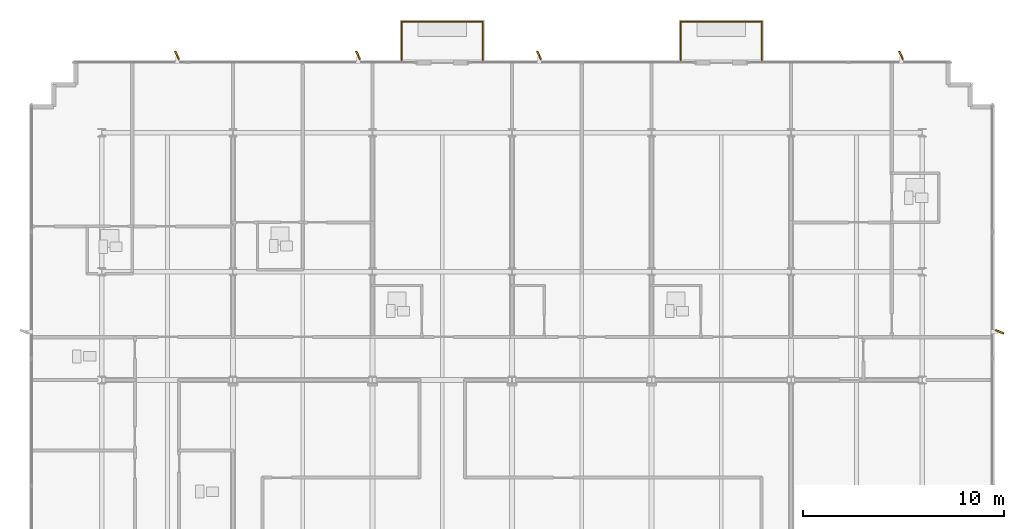
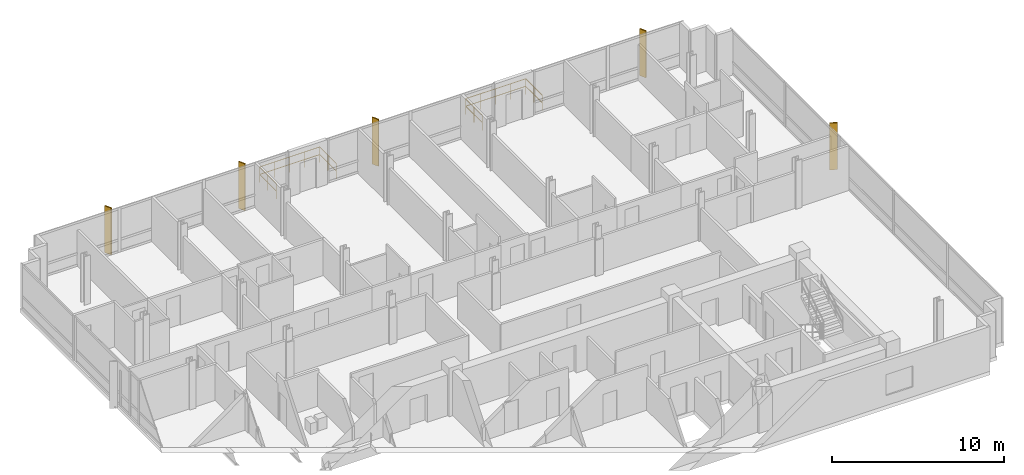
# One storey, part 13 of 14: 6 railings, 5 shading devices.
"""IFC4 building model written with IfcOpenShell, lengths in metres."""

from ifc_helpers import new_model, si_unit, direction, frame, origin, origin_2d, place, context, subcontext, project, spatial, rectangle, circle, extrude, material, layer, layer_set, type_object, element, save


model = new_model("IFC4")

# Units and contexts
model_context = context("Model", 3, precision=1e-05, world=origin(), true_north=direction((0.0, 1.0)))
body_context = subcontext(model_context, "Body", "Model", "MODEL_VIEW")
ifc_project = project(units=[si_unit("LENGTHUNIT", "METRE"), si_unit("AREAUNIT", "SQUARE_METRE"), si_unit("VOLUMEUNIT", "CUBIC_METRE"), si_unit("PLANEANGLEUNIT", "RADIAN"), si_unit("MASSUNIT", "GRAM", prefix="KILO")], contexts=[model_context])

# Site, building, storey
site_placement = place(None, origin())
site = spatial("IfcSite", under=ifc_project, at=site_placement, CompositionType="ELEMENT")
building_placement = place(site_placement, origin())
building = spatial("IfcBuilding", under=site, at=building_placement, Name="Solmavex Isthmus Hotel", CompositionType="ELEMENT")
storey_placement = place(building_placement, frame((0.0, 0.0, 252.300048828125)))
storey = spatial("IfcBuildingStorey", under=building, at=storey_placement, Name="L68", CompositionType="ELEMENT", Elevation=252.300048828125)

# Railings
ifc_material_1 = material(Name="Clear low-E laminated glass", Category="glass")
ifc_layer = layer(ifc_material_1, 0.070068359375)
ifc_layer_set = layer_set([ifc_layer], Name="Clear low-E laminated glass")
railing_type = type_object("IfcRailingType", Name="RAIL-GUARD-1100", PredefinedType="BALUSTRADE", material=ifc_layer_set)
railing_1_placement = place(storey_placement, frame((-5.488037109375, 21.300048828125, 0.0)))
element("IfcRailing", 1, at=railing_1_placement, inside=storey, type_object=railing_type, Name="Guardrail Balustrade L68-BAL1-01", PredefinedType="BALUSTRADE", context=body_context, shape_type="SweptSolid", body=[
    extrude(circle(Radius=0.02392578125, at=origin_2d()), frame((0.0, 0.0, 1.09619140625), z_axis=(0.0, 1.0, 0.0), x_axis=(-1.0, 0.0, 0.0)), (0.0, 0.0, 1.0), 1.919921875),
    extrude(circle(Radius=0.02392578125, at=origin_2d()), frame((0.0, 0.0, 0.56005859375), z_axis=(0.0, 1.0, 0.0), x_axis=(-1.0, 0.0, 0.0)), (0.0, 0.0, 1.0), 1.919921875),
    extrude(circle(Radius=0.02099609375, at=origin_2d()), origin(), (0.0, 0.0, 1.0), 1.072021484375),
    extrude(circle(Radius=0.02099609375, at=origin_2d()), frame((0.0, 0.9599609375, 0.0)), (0.0, 0.0, 1.0), 1.072021484375),
    extrude(circle(Radius=0.02099609375, at=origin_2d()), frame((0.0, 1.919921875, 0.0)), (0.0, 0.0, 1.0), 1.072021484375),
])
railing_2_placement = place(storey_placement, frame((-5.488037109375, 23.219970703125, 0.0)))
element("IfcRailing", 2, at=railing_2_placement, inside=storey, type_object=railing_type, Name="Guardrail Balustrade L68-BAL1-02", PredefinedType="BALUSTRADE", context=body_context, shape_type="SweptSolid", body=[
    extrude(circle(Radius=0.02392578125, at=origin_2d()), frame((0.0, 0.0, 1.09619140625), z_axis=(1.0, 0.0, 0.0), x_axis=(0.0, 1.0, 0.0)), (0.0, 0.0, 1.0), 4.0400390625),
    extrude(circle(Radius=0.02392578125, at=origin_2d()), frame((0.0, 0.0, 0.56005859375), z_axis=(1.0, 0.0, 0.0), x_axis=(0.0, 1.0, 0.0)), (0.0, 0.0, 1.0), 4.0400390625),
    extrude(circle(Radius=0.02099609375, at=origin_2d()), origin(), (0.0, 0.0, 1.0), 1.072021484375),
    extrude(circle(Radius=0.02099609375, at=origin_2d()), frame((1.010009765625, 0.0, 0.0)), (0.0, 0.0, 1.0), 1.072021484375),
    extrude(circle(Radius=0.02099609375, at=origin_2d()), frame((2.02001953125, 0.0, 0.0)), (0.0, 0.0, 1.0), 1.072021484375),
    extrude(circle(Radius=0.02099609375, at=origin_2d()), frame((3.030029296875, 0.0, 0.0)), (0.0, 0.0, 1.0), 1.072021484375),
    extrude(circle(Radius=0.02099609375, at=origin_2d()), frame((4.0400390625, 0.0, 0.0)), (0.0, 0.0, 1.0), 1.072021484375),
])
railing_3_placement = place(storey_placement, frame((-1.447998046875, 23.219970703125, 0.0)))
element("IfcRailing", 3, at=railing_3_placement, inside=storey, type_object=railing_type, Name="Guardrail Balustrade L68-BAL1-03", PredefinedType="BALUSTRADE", context=body_context, shape_type="SweptSolid", body=[
    extrude(circle(Radius=0.02392578125, at=origin_2d()), frame((0.0, 0.0, 1.09619140625), z_axis=(0.0, -1.0, 0.0), x_axis=(1.0, 0.0, 0.0)), (0.0, 0.0, 1.0), 1.919921875),
    extrude(circle(Radius=0.02392578125, at=origin_2d()), frame((0.0, 0.0, 0.56005859375), z_axis=(0.0, -1.0, 0.0), x_axis=(1.0, 0.0, 0.0)), (0.0, 0.0, 1.0), 1.919921875),
    extrude(circle(Radius=0.02099609375, at=origin_2d()), origin(), (0.0, 0.0, 1.0), 1.072021484375),
    extrude(circle(Radius=0.02099609375, at=origin_2d()), frame((0.0, -0.9599609375, 0.0)), (0.0, 0.0, 1.0), 1.072021484375),
    extrude(circle(Radius=0.02099609375, at=origin_2d()), frame((0.0, -1.919921875, 0.0)), (0.0, 0.0, 1.0), 1.072021484375),
])
railing_4_placement = place(storey_placement, frame((8.384033203125, 21.300048828125, 0.0)))
element("IfcRailing", 4, at=railing_4_placement, inside=storey, type_object=railing_type, Name="Guardrail Balustrade L68-BAL2-01", PredefinedType="BALUSTRADE", context=body_context, shape_type="SweptSolid", body=[
    extrude(circle(Radius=0.02392578125, at=origin_2d()), frame((0.0, 0.0, 1.09619140625), z_axis=(0.0, 1.0, 0.0), x_axis=(-1.0, 0.0, 0.0)), (0.0, 0.0, 1.0), 1.919921875),
    extrude(circle(Radius=0.02392578125, at=origin_2d()), frame((0.0, 0.0, 0.56005859375), z_axis=(0.0, 1.0, 0.0), x_axis=(-1.0, 0.0, 0.0)), (0.0, 0.0, 1.0), 1.919921875),
    extrude(circle(Radius=0.02099609375, at=origin_2d()), origin(), (0.0, 0.0, 1.0), 1.072021484375),
    extrude(circle(Radius=0.02099609375, at=origin_2d()), frame((0.0, 0.9599609375, 0.0)), (0.0, 0.0, 1.0), 1.072021484375),
    extrude(circle(Radius=0.02099609375, at=origin_2d()), frame((0.0, 1.919921875, 0.0)), (0.0, 0.0, 1.0), 1.072021484375),
])
railing_5_placement = place(storey_placement, frame((8.384033203125, 23.219970703125, 0.0)))
element("IfcRailing", 5, at=railing_5_placement, inside=storey, type_object=railing_type, Name="Guardrail Balustrade L68-BAL2-02", PredefinedType="BALUSTRADE", context=body_context, shape_type="SweptSolid", body=[
    extrude(circle(Radius=0.02392578125, at=origin_2d()), frame((0.0, 0.0, 1.09619140625), z_axis=(1.0, 0.0, 0.0), x_axis=(0.0, 1.0, 0.0)), (0.0, 0.0, 1.0), 4.0400390625),
    extrude(circle(Radius=0.02392578125, at=origin_2d()), frame((0.0, 0.0, 0.56005859375), z_axis=(1.0, 0.0, 0.0), x_axis=(0.0, 1.0, 0.0)), (0.0, 0.0, 1.0), 4.0400390625),
    extrude(circle(Radius=0.02099609375, at=origin_2d()), origin(), (0.0, 0.0, 1.0), 1.072021484375),
    extrude(circle(Radius=0.02099609375, at=origin_2d()), frame((1.010009765625, 0.0, 0.0)), (0.0, 0.0, 1.0), 1.072021484375),
    extrude(circle(Radius=0.02099609375, at=origin_2d()), frame((2.02001953125, 0.0, 0.0)), (0.0, 0.0, 1.0), 1.072021484375),
    extrude(circle(Radius=0.02099609375, at=origin_2d()), frame((3.030029296875, 0.0, 0.0)), (0.0, 0.0, 1.0), 1.072021484375),
    extrude(circle(Radius=0.02099609375, at=origin_2d()), frame((4.0400390625, 0.0, 0.0)), (0.0, 0.0, 1.0), 1.072021484375),
])
railing_6_placement = place(storey_placement, frame((12.424072265625, 23.219970703125, 0.0)))
element("IfcRailing", 6, at=railing_6_placement, inside=storey, type_object=railing_type, Name="Guardrail Balustrade L68-BAL2-03", PredefinedType="BALUSTRADE", context=body_context, shape_type="SweptSolid", body=[
    extrude(circle(Radius=0.02392578125, at=origin_2d()), frame((0.0, 0.0, 1.09619140625), z_axis=(0.0, -1.0, 0.0), x_axis=(1.0, 0.0, 0.0)), (0.0, 0.0, 1.0), 1.919921875),
    extrude(circle(Radius=0.02392578125, at=origin_2d()), frame((0.0, 0.0, 0.56005859375), z_axis=(0.0, -1.0, 0.0), x_axis=(1.0, 0.0, 0.0)), (0.0, 0.0, 1.0), 1.919921875),
    extrude(circle(Radius=0.02099609375, at=origin_2d()), origin(), (0.0, 0.0, 1.0), 1.072021484375),
    extrude(circle(Radius=0.02099609375, at=origin_2d()), frame((0.0, -0.9599609375, 0.0)), (0.0, 0.0, 1.0), 1.072021484375),
    extrude(circle(Radius=0.02099609375, at=origin_2d()), frame((0.0, -1.919921875, 0.0)), (0.0, 0.0, 1.0), 1.072021484375),
])

# Shading devices
ifc_material_2 = material(Name="Aluminium alloy 6063-T6", Category="aluminium")
shading_device_type = type_object("IfcShadingDeviceType", Name="SHD-FIN-BRONZE", PredefinedType="USERDEFINED", material=ifc_material_2)
for number, where, z_axis, x_axis, name in (
    (7, (-16.64990234375, 21.5400390625, -0.14013671875), (0.0, 0.0, 1.0), (-0.438371146789, 0.898794046299, 0.0), "Anodised Aluminium Solar Fin L68-N1"),
    (8, (-7.64990234375, 21.5400390625, -0.14013671875), (0.0, 0.0, 1.0), (-0.438371146789, 0.898794046299, 0.0), "Anodised Aluminium Solar Fin L68-N2"),
    (9, (1.35009765625, 21.5400390625, -0.14013671875), (0.0, 0.0, 1.0), (-0.438371146789, 0.898794046299, 0.0), "Anodised Aluminium Solar Fin L68-N3"),
    (10, (19.35009765625, 21.5400390625, -0.14013671875), (0.0, 0.0, 1.0), (-0.438371146789, 0.898794046299, 0.0), "Anodised Aluminium Solar Fin L68-N4"),
    (11, (24.239990234375, 7.800048828125, -0.14013671875), (0.0, 0.0, 1.0), (0.913545457643, -0.406736643076, 0.0), "Anodised Aluminium Solar Fin L68-E1"),
):
    element("IfcShadingDevice", number, at=place(storey_placement, frame(where, z_axis=z_axis, x_axis=x_axis)), inside=storey, type_object=shading_device_type, Name=name, ObjectType="SOLAR_FIN", PredefinedType="USERDEFINED", context=body_context, shape_type="SweptSolid", body=[
        extrude(rectangle(XDim=0.449951171875, YDim=0.080078125, at=origin_2d()), origin(), (0.0, 0.0, 1.0), 3.330078125),
    ])

save(model, "model.ifc")
